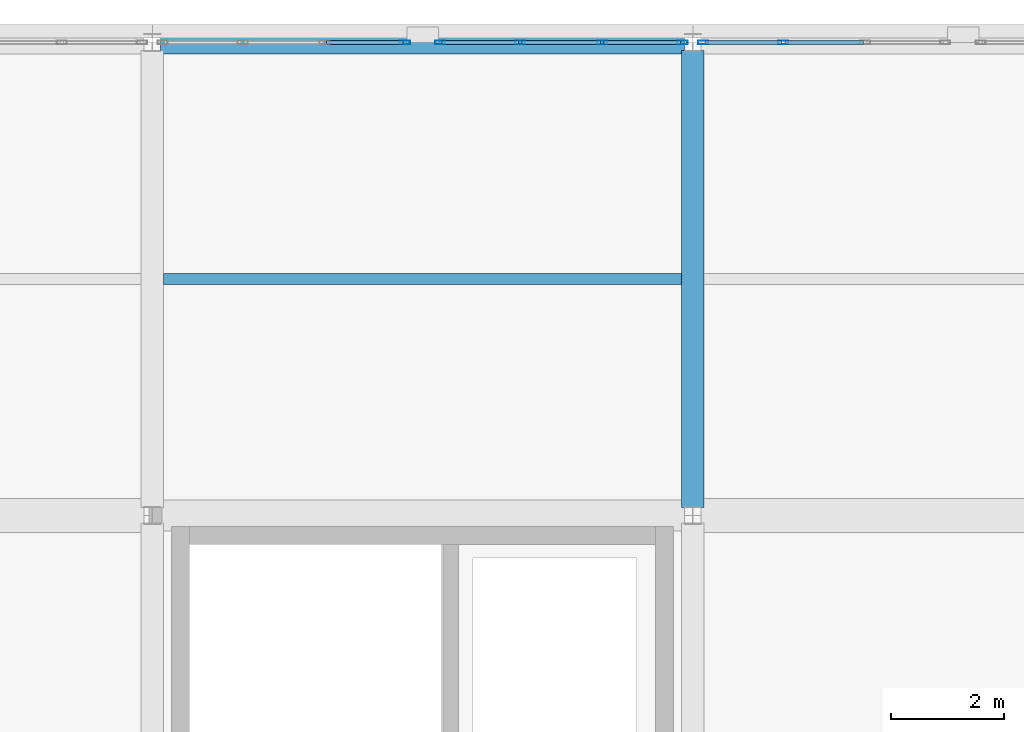
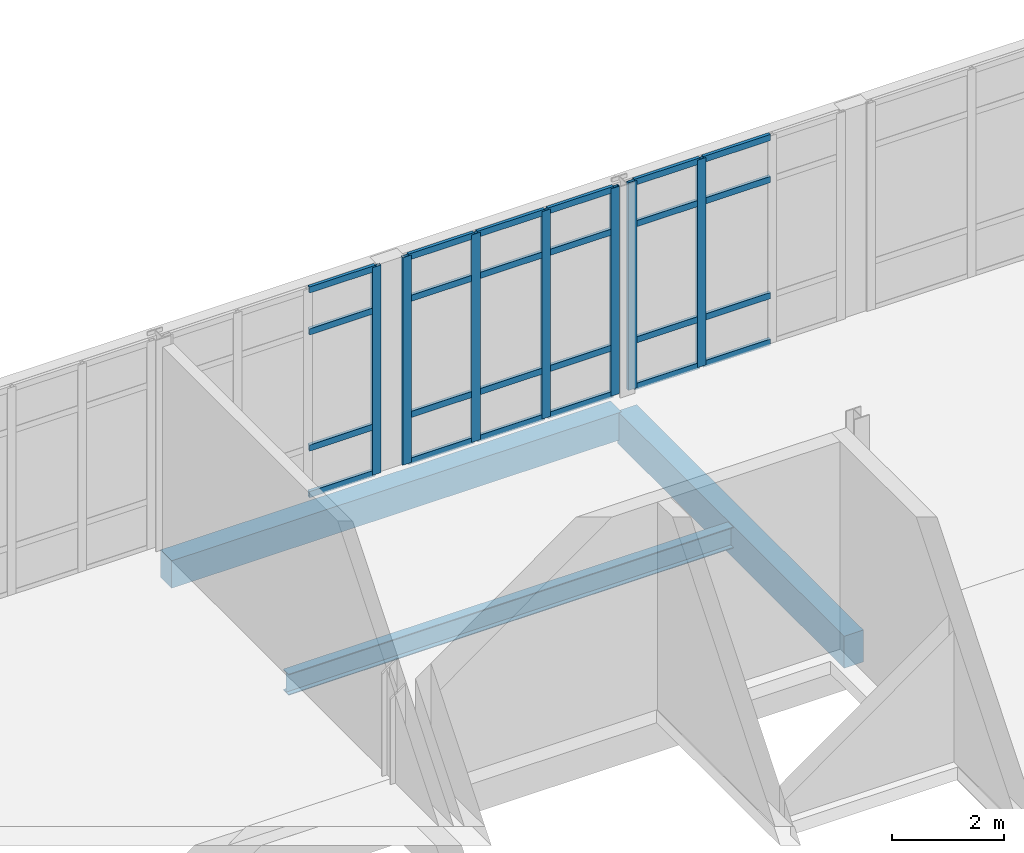
# One storey, part 52 of 88: 31 members, 3 beams, 3 elements without a shape of their own.
"""IFC4 building model written with IfcOpenShell, lengths in metres."""

from ifc_helpers import new_model, si_unit, direction, frame, origin, origin_2d, place, context, subcontext, project, spatial, rectangle, hollow_rectangle, i_section, extrude, material, layer, layer_set, material_profile, profile_set, type_object, element, aggregate, save


model = new_model("IFC4")

# Units and contexts
model_context = context("Model", 3, precision=1e-05, world=origin(), true_north=direction((0.0, 1.0)))
body_context = subcontext(model_context, "Body", "Model", "MODEL_VIEW")
ifc_project = project(units=[si_unit("LENGTHUNIT", "METRE"), si_unit("AREAUNIT", "SQUARE_METRE"), si_unit("VOLUMEUNIT", "CUBIC_METRE"), si_unit("PLANEANGLEUNIT", "RADIAN"), si_unit("MASSUNIT", "GRAM", prefix="KILO")], contexts=[model_context])

# Site, building, storey
site_placement = place(None, origin())
site = spatial("IfcSite", under=ifc_project, at=site_placement, CompositionType="ELEMENT")
building_placement = place(site_placement, origin())
building = spatial("IfcBuilding", under=site, at=building_placement, Name="Lornevale Opera House", CompositionType="ELEMENT")
storey_placement = place(building_placement, frame((0.0, 0.0, 10.199951171875)))
storey = spatial("IfcBuildingStorey", under=building, at=storey_placement, Name="L03", CompositionType="ELEMENT", Elevation=10.199951171875)

# Beams
ifc_material_1 = material(Name="Concrete 35 MPa (CSA A23.1 N)", Category="concrete")
ifc_material_profile_1 = material_profile(ifc_material_1, rectangle(XDim=0.39990234375, YDim=0.699951171875, at=origin_2d()), Name="RC400x700")
ifc_profile_set_1 = profile_set([ifc_material_profile_1], Name="Concrete 35 MPa (CSA A23.1 N)")
beam_type_1 = type_object("IfcBeamType", Name="Concrete Floor Beam 400x700", PredefinedType="USERDEFINED", material=ifc_profile_set_1)
beam_1_placement = place(storey_placement, frame((28.800048828125, 92.53759765625, -0.6298828125), z_axis=(0.0, 1.0, 0.0), x_axis=(-1.0, 0.0, 0.0)))
element("IfcBeam", 1, at=beam_1_placement, inside=storey, type_object=beam_type_1, Name="Concrete Floor Beam 400x700 2256", ObjectType="GIRDER", PredefinedType="USERDEFINED", context=body_context, shape_type="SweptSolid", body=[
    extrude(rectangle(XDim=0.39990234375, YDim=0.699951171875, at=origin_2d()), origin(), (0.0, 0.0, 1.0), 8.125),
])
ifc_material_profile_2 = material_profile(ifc_material_1, rectangle(XDim=0.39990234375, YDim=0.60009765625, at=origin_2d()), Name="RC400x600")
ifc_profile_set_2 = profile_set([ifc_material_profile_2], Name="Concrete 35 MPa (CSA A23.1 N)")
beam_type_2 = type_object("IfcBeamType", Name="Concrete Spandrel Beam 400x600", PredefinedType="SPANDREL", material=ifc_profile_set_2)
beam_2_placement = place(storey_placement, frame((19.346923828125, 100.800048828125, -0.579833984375), z_axis=(1.0, 0.0, 0.0), x_axis=(0.0, 1.0, 0.0)))
element("IfcBeam", 2, at=beam_2_placement, inside=storey, type_object=beam_type_2, Name="Concrete Spandrel Beam 400x600 2216", PredefinedType="SPANDREL", context=body_context, shape_type="SweptSolid", body=[
    extrude(rectangle(XDim=0.39990234375, YDim=0.60009765625, at=origin_2d()), origin(), (0.0, 0.0, 1.0), 9.30615234375),
])

# Curtain wall, member
ifc_material_2 = material(Name="Anodized Oxide-Green Aluminium Framing", Category="aluminium")
ifc_layer = layer(ifc_material_2, 0.175048828125)
ifc_layer_set = layer_set([ifc_layer], Name="Anodized Oxide-Green Aluminium Framing")
curtain_wall_type = type_object("IfcCurtainWallType", Name="Chamber Cloister Curtain Wall M1700", PredefinedType="NOTDEFINED", material=ifc_layer_set)
curtain_wall_1_placement = place(storey_placement, origin())
curtain_wall_1 = element("IfcCurtainWall", 3, at=curtain_wall_1_placement, inside=storey, type_object=curtain_wall_type, Name="Chamber Cloister Curtain Wall M1700 CW-114", PredefinedType="NOTDEFINED")
ifc_material_profile_3 = material_profile(ifc_material_2, hollow_rectangle(XDim=0.06494140625, YDim=0.179931640625, WallThickness=0.0048828125, at=origin_2d()), Name="ALU65x180x5")
ifc_profile_set_3 = profile_set([ifc_material_profile_3], Name="Anodized Oxide-Green Aluminium Framing")
member_type_1 = type_object("IfcMemberType", Name="Curtain Wall Mullion 65x180", PredefinedType="MULLION", material=ifc_profile_set_3)
member_1_placement = place(storey_placement, frame((23.6875, 100.800048828125, 0.0), z_axis=(0.0, 0.0, 1.0), x_axis=(0.0, 1.0, 0.0)))
member_1 = element("IfcMember", 4, at=member_1_placement, type_object=member_type_1, Name="Curtain Wall Mullion 65x180 CW2373", PredefinedType="MULLION", context=body_context, shape_type="SweptSolid", body=[
    extrude(hollow_rectangle(XDim=0.06494140625, YDim=0.179931640625, WallThickness=0.0048828125, at=origin_2d()), origin(), (0.0, 0.0, 1.0), 4.5400390625),
])

# Curtain wall, members
curtain_wall_2_placement = place(storey_placement, origin())
curtain_wall_2 = element("IfcCurtainWall", 5, at=curtain_wall_2_placement, inside=storey, type_object=curtain_wall_type, Name="Chamber Cloister Curtain Wall M1700 CW-115", PredefinedType="NOTDEFINED")
member_2_placement = place(storey_placement, frame((24.3125, 100.800048828125, 0.0), z_axis=(0.0, 0.0, 1.0), x_axis=(0.0, 1.0, 0.0)))
member_2 = element("IfcMember", 6, at=member_2_placement, type_object=member_type_1, Name="Curtain Wall Mullion 65x180 CW2395", PredefinedType="MULLION", context=body_context, shape_type="SweptSolid", body=[
    extrude(hollow_rectangle(XDim=0.06494140625, YDim=0.179931640625, WallThickness=0.0048828125, at=origin_2d()), origin(), (0.0, 0.0, 1.0), 4.5400390625),
])
member_3_placement = place(storey_placement, frame((25.736572265625, 100.800048828125, 0.0), z_axis=(0.0, 0.0, 1.0), x_axis=(0.0, 1.0, 0.0)))
member_3 = element("IfcMember", 7, at=member_3_placement, type_object=member_type_1, Name="Curtain Wall Mullion 65x180 CW2396", PredefinedType="MULLION", context=body_context, shape_type="SweptSolid", body=[
    extrude(hollow_rectangle(XDim=0.06494140625, YDim=0.179931640625, WallThickness=0.0048828125, at=origin_2d()), origin(), (0.0, 0.0, 1.0), 4.5400390625),
])
member_4_placement = place(storey_placement, frame((27.193115234375, 100.800048828125, 0.0), z_axis=(0.0, 0.0, 1.0), x_axis=(0.0, 1.0, 0.0)))
member_4 = element("IfcMember", 8, at=member_4_placement, type_object=member_type_1, Name="Curtain Wall Mullion 65x180 CW2397", PredefinedType="MULLION", context=body_context, shape_type="SweptSolid", body=[
    extrude(hollow_rectangle(XDim=0.06494140625, YDim=0.179931640625, WallThickness=0.0048828125, at=origin_2d()), origin(), (0.0, 0.0, 1.0), 4.5400390625),
])
member_5_placement = place(storey_placement, frame((28.616943359375, 100.800048828125, 0.0), z_axis=(0.0, 0.0, 1.0), x_axis=(0.0, 1.0, 0.0)))
member_5 = element("IfcMember", 9, at=member_5_placement, type_object=member_type_1, Name="Curtain Wall Mullion 65x180 CW2398", PredefinedType="MULLION", context=body_context, shape_type="SweptSolid", body=[
    extrude(hollow_rectangle(XDim=0.06494140625, YDim=0.179931640625, WallThickness=0.0048828125, at=origin_2d()), origin(), (0.0, 0.0, 1.0), 4.5400390625),
])

curtain_wall_3_placement = place(storey_placement, origin())
curtain_wall_3 = element("IfcCurtainWall", 10, at=curtain_wall_3_placement, inside=storey, type_object=curtain_wall_type, Name="Chamber Cloister Curtain Wall M1700 CW-126", PredefinedType="NOTDEFINED")
member_6_placement = place(storey_placement, frame((28.98291015625, 100.800048828125, 0.0), z_axis=(0.0, 0.0, 1.0), x_axis=(0.0, 1.0, 0.0)))
member_6 = element("IfcMember", 11, at=member_6_placement, type_object=member_type_1, Name="Curtain Wall Mullion 65x180 CW2614", PredefinedType="MULLION", context=body_context, shape_type="SweptSolid", body=[
    extrude(hollow_rectangle(XDim=0.06494140625, YDim=0.179931640625, WallThickness=0.0048828125, at=origin_2d()), origin(), (0.0, 0.0, 1.0), 4.5400390625),
])
member_7_placement = place(storey_placement, frame((30.406982421875, 100.800048828125, 0.0), z_axis=(0.0, 0.0, 1.0), x_axis=(0.0, 1.0, 0.0)))
member_7 = element("IfcMember", 12, at=member_7_placement, type_object=member_type_1, Name="Curtain Wall Mullion 65x180 CW2615", PredefinedType="MULLION", context=body_context, shape_type="SweptSolid", body=[
    extrude(hollow_rectangle(XDim=0.06494140625, YDim=0.179931640625, WallThickness=0.0048828125, at=origin_2d()), origin(), (0.0, 0.0, 1.0), 4.5400390625),
])

# Member
ifc_material_profile_4 = material_profile(ifc_material_2, hollow_rectangle(XDim=0.06494140625, YDim=0.135009765625, WallThickness=0.00390625, at=origin_2d()), Name="ALU65x135x4")
ifc_profile_set_4 = profile_set([ifc_material_profile_4], Name="Anodized Oxide-Green Aluminium Framing")
member_type_2 = type_object("IfcMemberType", Name="Curtain Wall Transom 65x135", PredefinedType="USERDEFINED", material=ifc_profile_set_4)
member_8_placement = place(storey_placement, frame((22.2958984375, 100.800048828125, 0.032470703125), z_axis=(1.0, 0.0, 0.0), x_axis=(0.0, 1.0, 0.0)))
member_8 = element("IfcMember", 13, at=member_8_placement, type_object=member_type_2, Name="Curtain Wall Transom 65x135 CW2388", ObjectType="TRANSOM", PredefinedType="USERDEFINED", context=body_context, shape_type="SweptSolid", body=[
    extrude(hollow_rectangle(XDim=0.06494140625, YDim=0.135009765625, WallThickness=0.00390625, at=origin_2d()), origin(), (0.0, 0.0, 1.0), 1.359130859375),
])

member_9_placement = place(storey_placement, frame((22.2958984375, 100.800048828125, 1.050048828125), z_axis=(1.0, 0.0, 0.0), x_axis=(0.0, 1.0, 0.0)))
member_9 = element("IfcMember", 14, at=member_9_placement, type_object=member_type_2, Name="Curtain Wall Transom 65x135 CW2389", ObjectType="TRANSOM", PredefinedType="USERDEFINED", context=body_context, shape_type="SweptSolid", body=[
    extrude(hollow_rectangle(XDim=0.06494140625, YDim=0.135009765625, WallThickness=0.00390625, at=origin_2d()), origin(), (0.0, 0.0, 1.0), 1.359130859375),
])

member_10_placement = place(storey_placement, frame((22.2958984375, 100.800048828125, 3.590087890625), z_axis=(1.0, 0.0, 0.0), x_axis=(0.0, 1.0, 0.0)))
member_10 = element("IfcMember", 15, at=member_10_placement, type_object=member_type_2, Name="Curtain Wall Transom 65x135 CW2390", ObjectType="TRANSOM", PredefinedType="USERDEFINED", context=body_context, shape_type="SweptSolid", body=[
    extrude(hollow_rectangle(XDim=0.06494140625, YDim=0.135009765625, WallThickness=0.00390625, at=origin_2d()), origin(), (0.0, 0.0, 1.0), 1.359130859375),
])

member_11_placement = place(storey_placement, frame((22.2958984375, 100.800048828125, 4.507568359375), z_axis=(1.0, 0.0, 0.0), x_axis=(0.0, 1.0, 0.0)))
member_11 = element("IfcMember", 16, at=member_11_placement, type_object=member_type_2, Name="Curtain Wall Transom 65x135 CW2391", ObjectType="TRANSOM", PredefinedType="USERDEFINED", context=body_context, shape_type="SweptSolid", body=[
    extrude(hollow_rectangle(XDim=0.06494140625, YDim=0.135009765625, WallThickness=0.00390625, at=origin_2d()), origin(), (0.0, 0.0, 1.0), 1.359130859375),
])

aggregate(curtain_wall_1, [member_1, member_8, member_9, member_10, member_11])

member_12_placement = place(storey_placement, frame((24.344970703125, 100.800048828125, 0.032470703125), z_axis=(1.0, 0.0, 0.0), x_axis=(0.0, 1.0, 0.0)))
member_12 = element("IfcMember", 17, at=member_12_placement, type_object=member_type_2, Name="Curtain Wall Transom 65x135 CW2399", ObjectType="TRANSOM", PredefinedType="USERDEFINED", context=body_context, shape_type="SweptSolid", body=[
    extrude(hollow_rectangle(XDim=0.06494140625, YDim=0.135009765625, WallThickness=0.00390625, at=origin_2d()), origin(), (0.0, 0.0, 1.0), 1.359130859375),
])

member_13_placement = place(storey_placement, frame((24.344970703125, 100.800048828125, 1.050048828125), z_axis=(1.0, 0.0, 0.0), x_axis=(0.0, 1.0, 0.0)))
member_13 = element("IfcMember", 18, at=member_13_placement, type_object=member_type_2, Name="Curtain Wall Transom 65x135 CW2400", ObjectType="TRANSOM", PredefinedType="USERDEFINED", context=body_context, shape_type="SweptSolid", body=[
    extrude(hollow_rectangle(XDim=0.06494140625, YDim=0.135009765625, WallThickness=0.00390625, at=origin_2d()), origin(), (0.0, 0.0, 1.0), 1.359130859375),
])

member_14_placement = place(storey_placement, frame((24.344970703125, 100.800048828125, 3.590087890625), z_axis=(1.0, 0.0, 0.0), x_axis=(0.0, 1.0, 0.0)))
member_14 = element("IfcMember", 19, at=member_14_placement, type_object=member_type_2, Name="Curtain Wall Transom 65x135 CW2401", ObjectType="TRANSOM", PredefinedType="USERDEFINED", context=body_context, shape_type="SweptSolid", body=[
    extrude(hollow_rectangle(XDim=0.06494140625, YDim=0.135009765625, WallThickness=0.00390625, at=origin_2d()), origin(), (0.0, 0.0, 1.0), 1.359130859375),
])

member_15_placement = place(storey_placement, frame((24.344970703125, 100.800048828125, 4.507568359375), z_axis=(1.0, 0.0, 0.0), x_axis=(0.0, 1.0, 0.0)))
member_15 = element("IfcMember", 20, at=member_15_placement, type_object=member_type_2, Name="Curtain Wall Transom 65x135 CW2402", ObjectType="TRANSOM", PredefinedType="USERDEFINED", context=body_context, shape_type="SweptSolid", body=[
    extrude(hollow_rectangle(XDim=0.06494140625, YDim=0.135009765625, WallThickness=0.00390625, at=origin_2d()), origin(), (0.0, 0.0, 1.0), 1.359130859375),
])

member_16_placement = place(storey_placement, frame((25.76904296875, 100.800048828125, 0.032470703125), z_axis=(1.0, 0.0, 0.0), x_axis=(0.0, 1.0, 0.0)))
member_16 = element("IfcMember", 21, at=member_16_placement, type_object=member_type_2, Name="Curtain Wall Transom 65x135 CW2406", ObjectType="TRANSOM", PredefinedType="USERDEFINED", context=body_context, shape_type="SweptSolid", body=[
    extrude(hollow_rectangle(XDim=0.06494140625, YDim=0.135009765625, WallThickness=0.00390625, at=origin_2d()), origin(), (0.0, 0.0, 1.0), 1.391357421875),
])

member_17_placement = place(storey_placement, frame((25.76904296875, 100.800048828125, 1.050048828125), z_axis=(1.0, 0.0, 0.0), x_axis=(0.0, 1.0, 0.0)))
member_17 = element("IfcMember", 22, at=member_17_placement, type_object=member_type_2, Name="Curtain Wall Transom 65x135 CW2407", ObjectType="TRANSOM", PredefinedType="USERDEFINED", context=body_context, shape_type="SweptSolid", body=[
    extrude(hollow_rectangle(XDim=0.06494140625, YDim=0.135009765625, WallThickness=0.00390625, at=origin_2d()), origin(), (0.0, 0.0, 1.0), 1.391357421875),
])

member_18_placement = place(storey_placement, frame((25.76904296875, 100.800048828125, 3.590087890625), z_axis=(1.0, 0.0, 0.0), x_axis=(0.0, 1.0, 0.0)))
member_18 = element("IfcMember", 23, at=member_18_placement, type_object=member_type_2, Name="Curtain Wall Transom 65x135 CW2408", ObjectType="TRANSOM", PredefinedType="USERDEFINED", context=body_context, shape_type="SweptSolid", body=[
    extrude(hollow_rectangle(XDim=0.06494140625, YDim=0.135009765625, WallThickness=0.00390625, at=origin_2d()), origin(), (0.0, 0.0, 1.0), 1.391357421875),
])

member_19_placement = place(storey_placement, frame((25.76904296875, 100.800048828125, 4.507568359375), z_axis=(1.0, 0.0, 0.0), x_axis=(0.0, 1.0, 0.0)))
member_19 = element("IfcMember", 24, at=member_19_placement, type_object=member_type_2, Name="Curtain Wall Transom 65x135 CW2409", ObjectType="TRANSOM", PredefinedType="USERDEFINED", context=body_context, shape_type="SweptSolid", body=[
    extrude(hollow_rectangle(XDim=0.06494140625, YDim=0.135009765625, WallThickness=0.00390625, at=origin_2d()), origin(), (0.0, 0.0, 1.0), 1.391357421875),
])

member_20_placement = place(storey_placement, frame((27.2255859375, 100.800048828125, 0.032470703125), z_axis=(1.0, 0.0, 0.0), x_axis=(0.0, 1.0, 0.0)))
member_20 = element("IfcMember", 25, at=member_20_placement, type_object=member_type_2, Name="Curtain Wall Transom 65x135 CW2413", ObjectType="TRANSOM", PredefinedType="USERDEFINED", context=body_context, shape_type="SweptSolid", body=[
    extrude(hollow_rectangle(XDim=0.06494140625, YDim=0.135009765625, WallThickness=0.00390625, at=origin_2d()), origin(), (0.0, 0.0, 1.0), 1.35888671875),
])

member_21_placement = place(storey_placement, frame((27.2255859375, 100.800048828125, 1.050048828125), z_axis=(1.0, 0.0, 0.0), x_axis=(0.0, 1.0, 0.0)))
member_21 = element("IfcMember", 26, at=member_21_placement, type_object=member_type_2, Name="Curtain Wall Transom 65x135 CW2414", ObjectType="TRANSOM", PredefinedType="USERDEFINED", context=body_context, shape_type="SweptSolid", body=[
    extrude(hollow_rectangle(XDim=0.06494140625, YDim=0.135009765625, WallThickness=0.00390625, at=origin_2d()), origin(), (0.0, 0.0, 1.0), 1.35888671875),
])

member_22_placement = place(storey_placement, frame((27.2255859375, 100.800048828125, 3.590087890625), z_axis=(1.0, 0.0, 0.0), x_axis=(0.0, 1.0, 0.0)))
member_22 = element("IfcMember", 27, at=member_22_placement, type_object=member_type_2, Name="Curtain Wall Transom 65x135 CW2415", ObjectType="TRANSOM", PredefinedType="USERDEFINED", context=body_context, shape_type="SweptSolid", body=[
    extrude(hollow_rectangle(XDim=0.06494140625, YDim=0.135009765625, WallThickness=0.00390625, at=origin_2d()), origin(), (0.0, 0.0, 1.0), 1.35888671875),
])

member_23_placement = place(storey_placement, frame((27.2255859375, 100.800048828125, 4.507568359375), z_axis=(1.0, 0.0, 0.0), x_axis=(0.0, 1.0, 0.0)))
member_23 = element("IfcMember", 28, at=member_23_placement, type_object=member_type_2, Name="Curtain Wall Transom 65x135 CW2416", ObjectType="TRANSOM", PredefinedType="USERDEFINED", context=body_context, shape_type="SweptSolid", body=[
    extrude(hollow_rectangle(XDim=0.06494140625, YDim=0.135009765625, WallThickness=0.00390625, at=origin_2d()), origin(), (0.0, 0.0, 1.0), 1.35888671875),
])

aggregate(curtain_wall_2, [member_2, member_3, member_4, member_5, member_12, member_13, member_14, member_15, member_16, member_17, member_18, member_19, member_20, member_21, member_22, member_23])

member_24_placement = place(storey_placement, frame((29.015380859375, 100.800048828125, 0.032470703125), z_axis=(1.0, 0.0, 0.0), x_axis=(0.0, 1.0, 0.0)))
member_24 = element("IfcMember", 29, at=member_24_placement, type_object=member_type_2, Name="Curtain Wall Transom 65x135 CW2618", ObjectType="TRANSOM", PredefinedType="USERDEFINED", context=body_context, shape_type="SweptSolid", body=[
    extrude(hollow_rectangle(XDim=0.06494140625, YDim=0.135009765625, WallThickness=0.00390625, at=origin_2d()), origin(), (0.0, 0.0, 1.0), 1.359130859375),
])

member_25_placement = place(storey_placement, frame((29.015380859375, 100.800048828125, 1.050048828125), z_axis=(1.0, 0.0, 0.0), x_axis=(0.0, 1.0, 0.0)))
member_25 = element("IfcMember", 30, at=member_25_placement, type_object=member_type_2, Name="Curtain Wall Transom 65x135 CW2619", ObjectType="TRANSOM", PredefinedType="USERDEFINED", context=body_context, shape_type="SweptSolid", body=[
    extrude(hollow_rectangle(XDim=0.06494140625, YDim=0.135009765625, WallThickness=0.00390625, at=origin_2d()), origin(), (0.0, 0.0, 1.0), 1.359130859375),
])

member_26_placement = place(storey_placement, frame((29.015380859375, 100.800048828125, 3.590087890625), z_axis=(1.0, 0.0, 0.0), x_axis=(0.0, 1.0, 0.0)))
member_26 = element("IfcMember", 31, at=member_26_placement, type_object=member_type_2, Name="Curtain Wall Transom 65x135 CW2620", ObjectType="TRANSOM", PredefinedType="USERDEFINED", context=body_context, shape_type="SweptSolid", body=[
    extrude(hollow_rectangle(XDim=0.06494140625, YDim=0.135009765625, WallThickness=0.00390625, at=origin_2d()), origin(), (0.0, 0.0, 1.0), 1.359130859375),
])

member_27_placement = place(storey_placement, frame((29.015380859375, 100.800048828125, 4.507568359375), z_axis=(1.0, 0.0, 0.0), x_axis=(0.0, 1.0, 0.0)))
member_27 = element("IfcMember", 32, at=member_27_placement, type_object=member_type_2, Name="Curtain Wall Transom 65x135 CW2621", ObjectType="TRANSOM", PredefinedType="USERDEFINED", context=body_context, shape_type="SweptSolid", body=[
    extrude(hollow_rectangle(XDim=0.06494140625, YDim=0.135009765625, WallThickness=0.00390625, at=origin_2d()), origin(), (0.0, 0.0, 1.0), 1.359130859375),
])

member_28_placement = place(storey_placement, frame((30.439453125, 100.800048828125, 0.032470703125), z_axis=(1.0, 0.0, 0.0), x_axis=(0.0, 1.0, 0.0)))
member_28 = element("IfcMember", 33, at=member_28_placement, type_object=member_type_2, Name="Curtain Wall Transom 65x135 CW2625", ObjectType="TRANSOM", PredefinedType="USERDEFINED", context=body_context, shape_type="SweptSolid", body=[
    extrude(hollow_rectangle(XDim=0.06494140625, YDim=0.135009765625, WallThickness=0.00390625, at=origin_2d()), origin(), (0.0, 0.0, 1.0), 1.3916015625),
])

member_29_placement = place(storey_placement, frame((30.439453125, 100.800048828125, 1.050048828125), z_axis=(1.0, 0.0, 0.0), x_axis=(0.0, 1.0, 0.0)))
member_29 = element("IfcMember", 34, at=member_29_placement, type_object=member_type_2, Name="Curtain Wall Transom 65x135 CW2626", ObjectType="TRANSOM", PredefinedType="USERDEFINED", context=body_context, shape_type="SweptSolid", body=[
    extrude(hollow_rectangle(XDim=0.06494140625, YDim=0.135009765625, WallThickness=0.00390625, at=origin_2d()), origin(), (0.0, 0.0, 1.0), 1.3916015625),
])

member_30_placement = place(storey_placement, frame((30.439453125, 100.800048828125, 3.590087890625), z_axis=(1.0, 0.0, 0.0), x_axis=(0.0, 1.0, 0.0)))
member_30 = element("IfcMember", 35, at=member_30_placement, type_object=member_type_2, Name="Curtain Wall Transom 65x135 CW2627", ObjectType="TRANSOM", PredefinedType="USERDEFINED", context=body_context, shape_type="SweptSolid", body=[
    extrude(hollow_rectangle(XDim=0.06494140625, YDim=0.135009765625, WallThickness=0.00390625, at=origin_2d()), origin(), (0.0, 0.0, 1.0), 1.3916015625),
])

member_31_placement = place(storey_placement, frame((30.439453125, 100.800048828125, 4.507568359375), z_axis=(1.0, 0.0, 0.0), x_axis=(0.0, 1.0, 0.0)))
member_31 = element("IfcMember", 36, at=member_31_placement, type_object=member_type_2, Name="Curtain Wall Transom 65x135 CW2628", ObjectType="TRANSOM", PredefinedType="USERDEFINED", context=body_context, shape_type="SweptSolid", body=[
    extrude(hollow_rectangle(XDim=0.06494140625, YDim=0.135009765625, WallThickness=0.00390625, at=origin_2d()), origin(), (0.0, 0.0, 1.0), 1.3916015625),
])

aggregate(curtain_wall_3, [member_6, member_7, member_24, member_25, member_26, member_27, member_28, member_29, member_30, member_31])

# Beam
ifc_material_3 = material(Name="Structural Steel CSA G40.21 Grade 350W (350 MPa)", Category="steel")
ifc_material_profile_5 = material_profile(ifc_material_3, i_section(OverallWidth=0.19189453125, OverallDepth=0.462890625, WebThickness=0.010498046875, FlangeThickness=0.017578125, at=origin_2d()), Name="W460x89")
ifc_profile_set_5 = profile_set([ifc_material_profile_5], Name="Structural Steel CSA G40.21 Grade 350W (350 MPa)")
beam_type_3 = type_object("IfcBeamType", Name="Steel Floor Joist W460x89", PredefinedType="JOIST", material=ifc_profile_set_5)
beam_3_placement = place(storey_placement, frame((19.39990234375, 96.60009765625, -0.5263671875), z_axis=(1.0, 0.0, 0.0), x_axis=(0.0, 1.0, 0.0)))
element("IfcBeam", 37, at=beam_3_placement, inside=storey, type_object=beam_type_3, Name="Steel Floor Joist W460x89 2376", PredefinedType="JOIST", context=body_context, shape_type="SweptSolid", body=[
    extrude(i_section(OverallWidth=0.19189453125, OverallDepth=0.462890625, WebThickness=0.010498046875, FlangeThickness=0.017578125, at=origin_2d()), origin(), (0.0, 0.0, 1.0), 9.2001953125),
])

save(model, "model.ifc")
